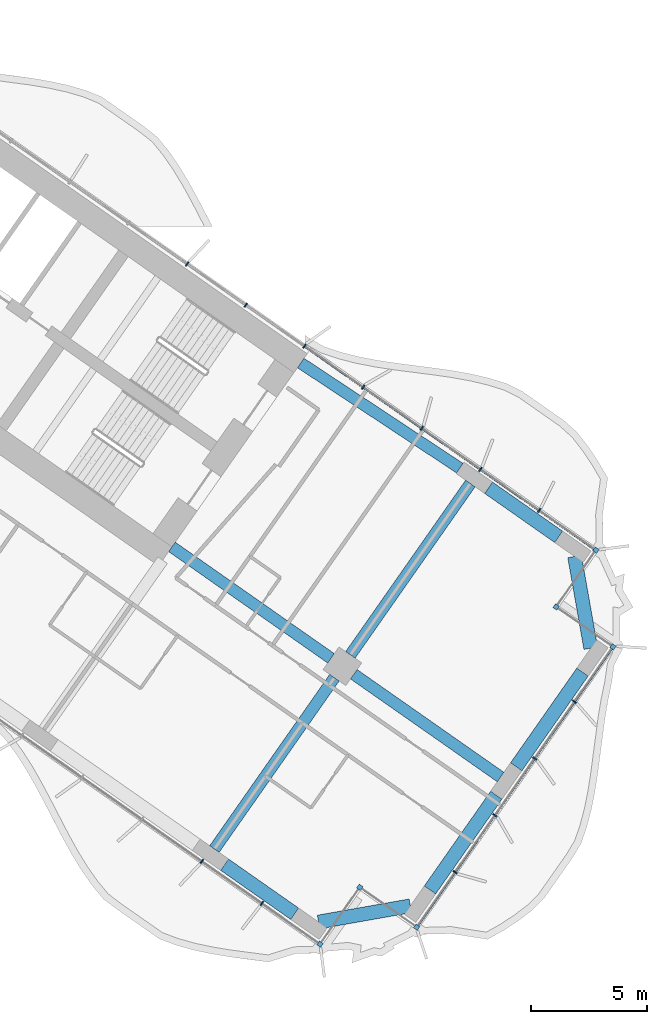
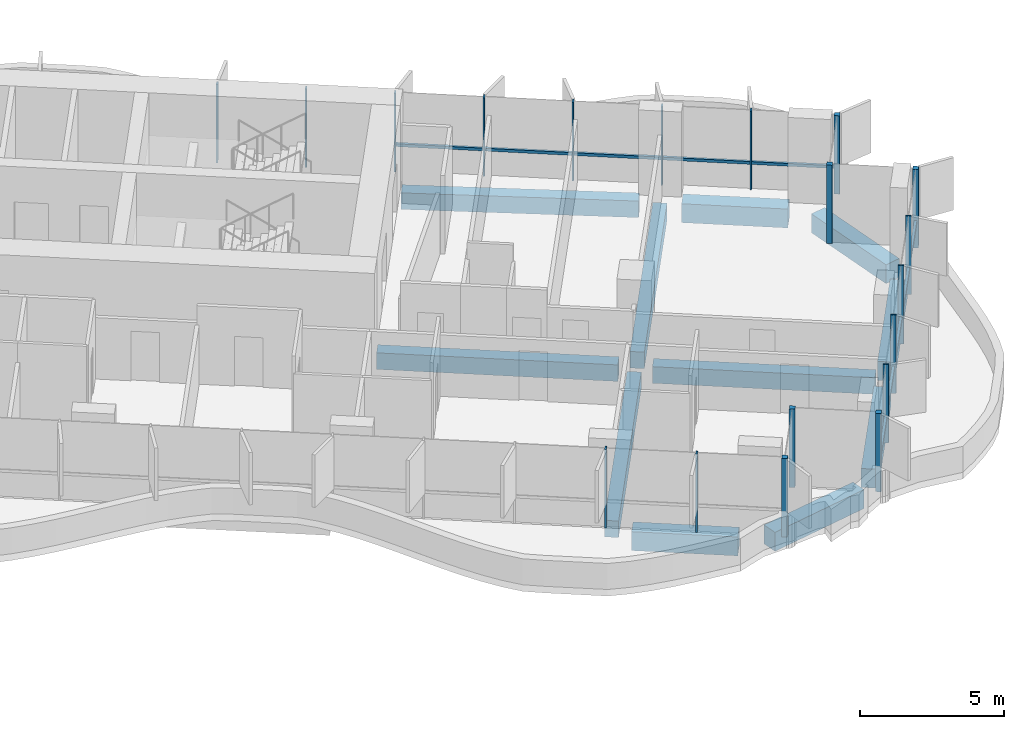
# One storey, part 9 of 23: 21 members, 11 beams, 2 elements without a shape of their own.
"""IFC4 building model written with IfcOpenShell, lengths in metres."""

import ifcopenshell
import ifcopenshell.guid

model = None  # the IFC model being written
_history = None  # IfcOwnerHistory: only IFC2X3 demands one
_inside = {}  # id of a spatial element -> (the spatial element, [elements in it])
_under = {}  # id of a project, library or spatial element -> (it, [spatial elements below it])
_declared = {}  # id of a project -> (the project, [libraries it declares])
_typed = {}  # id of a type object -> (the type object, [elements of that type])
_made_of = {}  # id of a material, layer set ... -> (it, [elements and type objects made of it])


def new_model(schema):
    """Start an empty IFC model of exactly this schema.

    Asked for "IFC4X3", IfcOpenShell would pick the latest addendum, in which some entities
    have other attributes; the version numbers below select the first issue.
    IFC2X3 requires an IfcOwnerHistory on every rooted entity: one is made here for all.
    """
    global model, _history
    if schema == "IFC4X3":
        model = ifcopenshell.file(schema_version=(4, 3, 0, 0))
    else:
        model = ifcopenshell.file(schema=schema)
    _inside.clear()
    _under.clear()
    _declared.clear()
    _typed.clear()
    _made_of.clear()
    _history = None
    if model.schema == "IFC2X3":
        org = make("IfcOrganization", Name="unknown")
        user = make(
            "IfcPersonAndOrganization",
            ThePerson=make("IfcPerson", FamilyName="unknown"),
            TheOrganization=org,
        )
        app = make(
            "IfcApplication",
            ApplicationDeveloper=org,
            Version="unknown",
            ApplicationFullName="unknown",
            ApplicationIdentifier="unknown",
        )
        _history = make(
            "IfcOwnerHistory",
            OwningUser=user,
            OwningApplication=app,
            ChangeAction="ADDED",
            CreationDate=0,
        )
    return model


def make(cls, **values):
    """One entity of the class cls with the attributes given. An attribute that is None is left unset."""
    return model.create_entity(
        cls, **{name: value for name, value in values.items() if value is not None}
    )


def rooted(cls, **values):
    """An entity with a GlobalId (a new one), such as an element, a storey or a relation."""
    return make(cls, GlobalId=ifcopenshell.guid.new(), OwnerHistory=_history, **values)


def si_unit(unit_type, name, prefix=None):
    """IfcSIUnit, for example si_unit("LENGTHUNIT", "METRE", prefix="MILLI")."""
    return make("IfcSIUnit", UnitType=unit_type, Prefix=prefix, Name=name)


def assignment(units):
    """IfcUnitAssignment: the units of a project."""
    return None if units is None else make("IfcUnitAssignment", Units=units)


def point(xyz):
    """IfcCartesianPoint."""
    return None if xyz is None else make("IfcCartesianPoint", Coordinates=xyz)


def direction(xyz):
    """IfcDirection."""
    return None if xyz is None else make("IfcDirection", DirectionRatios=xyz)


def frame(location, z_axis=None, x_axis=None):
    """IfcAxis2Placement3D, a coordinate frame: its origin and axes. An axis left out is left unset."""
    return make(
        "IfcAxis2Placement3D",
        Location=point(location),
        Axis=direction(z_axis),
        RefDirection=direction(x_axis),
    )


def frame_2d(location, x_axis=None):
    """IfcAxis2Placement2D, a coordinate frame in the plane: its origin and x axis."""
    return make(
        "IfcAxis2Placement2D", Location=point(location), RefDirection=direction(x_axis)
    )


def origin():
    """The frame at (0, 0, 0) with its axes left unset."""
    return frame((0.0, 0.0, 0.0))


def origin_2d():
    """The frame at (0, 0) in the plane with its x axis left unset."""
    return frame_2d((0.0, 0.0))


def place(relative_to, where):
    """IfcLocalPlacement: puts the frame where relative to a parent placement (None: the world)."""
    return make(
        "IfcLocalPlacement", PlacementRelTo=relative_to, RelativePlacement=where
    )


def context(
    kind, dimensions, precision=None, world=None, true_north=None, identifier=None
):
    """IfcGeometricRepresentationContext, for example the 3D "Model" context."""
    return make(
        "IfcGeometricRepresentationContext",
        ContextIdentifier=identifier,
        ContextType=kind,
        CoordinateSpaceDimension=dimensions,
        Precision=precision,
        WorldCoordinateSystem=world,
        TrueNorth=true_north,
    )


def subcontext(parent, identifier, kind, view, scale=None):
    """IfcGeometricRepresentationSubContext, for example "Body" below "Model"."""
    return make(
        "IfcGeometricRepresentationSubContext",
        ContextIdentifier=identifier,
        ContextType=kind,
        ParentContext=parent,
        TargetScale=scale,
        TargetView=view,
    )


def project(units=None, contexts=None):
    """IfcProject with its units and contexts."""
    return rooted(
        "IfcProject",
        Name="project",
        RepresentationContexts=contexts,
        UnitsInContext=assignment(units),
    )


def spatial(cls, under=None, at=None, **own):
    """A site, building, storey or space (cls), placed at a placement, below another one or the project."""
    s = rooted(cls, ObjectPlacement=at, **own)
    if under is not None:
        _under.setdefault(under.id(), (under, []))[1].append(s)
    return s


def profile(cls, at=None, kind="AREA", **sizes):
    """A parametric profile (cls). Its sizes go by their IFC names, for example OverallWidth=200.0."""
    return make(cls, ProfileType=kind, Position=at, **sizes)


def rectangle(**sizes):
    """IfcRectangleProfileDef."""
    return profile("IfcRectangleProfileDef", **sizes)


def extrude(swept, where, along, depth):
    """IfcExtrudedAreaSolid: the profile swept, set in the frame where, extruded along a direction by depth."""
    return make(
        "IfcExtrudedAreaSolid",
        SweptArea=swept,
        Position=where,
        ExtrudedDirection=direction(along),
        Depth=depth,
    )


def shape(context_of_items, identifier, shape_type, items):
    """IfcShapeRepresentation: the items that make up one representation, for example the "Body"."""
    return make(
        "IfcShapeRepresentation",
        ContextOfItems=context_of_items,
        RepresentationIdentifier=identifier,
        RepresentationType=shape_type,
        Items=items,
    )


def material(Name=None, Category=None):
    """IfcMaterial."""
    return make("IfcMaterial", Name=Name, Category=Category)


def material_profile(
    of_material, cross_section, Name=None, Category=None, Priority=None
):
    """IfcMaterialProfile: a cross section and its material."""
    return make(
        "IfcMaterialProfile",
        Name=Name,
        Material=of_material,
        Profile=cross_section,
        Priority=Priority,
        Category=Category,
    )


def profile_set(profiles, Name=None, composite=None):
    """IfcMaterialProfileSet."""
    return make(
        "IfcMaterialProfileSet",
        Name=Name,
        MaterialProfiles=profiles,
        CompositeProfile=composite,
    )


def made_of(thing, what):
    """Note that an element or type object is made of a material, layer set ...; save() writes the relation."""
    if what is not None:
        _made_of.setdefault(what.id(), (what, []))[1].append(thing)
    return thing


def type_object(cls, material=None, **own):
    """A type object (cls), such as IfcWallType, which elements share."""
    return made_of(rooted(cls, **own), material)


def element(
    cls,
    number,
    at=None,
    inside=None,
    cuts=None,
    type_object=None,
    material=None,
    context=None,
    identifier="Body",
    shape_type=None,
    held_by="IfcProductDefinitionShape",
    body=None,
    shapes=None,
    **own,
):
    """One element of the class cls, such as IfcWall. Its Tag is "e" and its number.

    at: its placement. inside: the storey or other place that contains it. cuts: it is an
    opening in that element (IfcRelVoidsElement). A single representation is given by context,
    identifier, shape_type and body (its items); several are given by shapes. held_by: the class
    of the entity that holds the representations. save() writes the other relations.
    """
    e = rooted(cls, Tag="e%d" % number, ObjectPlacement=at, **own)
    if body is not None:
        shapes = [shape(context, identifier, shape_type, body)]
    if shapes is not None:
        e.Representation = make(held_by, Representations=shapes)
    if inside is not None:
        _inside.setdefault(inside.id(), (inside, []))[1].append(e)
    if cuts is not None:
        rooted(
            "IfcRelVoidsElement", RelatingBuildingElement=cuts, RelatedOpeningElement=e
        )
    if type_object is not None:
        _typed.setdefault(type_object.id(), (type_object, []))[1].append(e)
    return made_of(e, material)


def aggregate(whole, parts):
    """IfcRelAggregates: a whole, such as a stair, and the parts it consists of."""
    return rooted("IfcRelAggregates", RelatingObject=whole, RelatedObjects=parts)


def save(model, path):
    """Write the relations noted so far, then the file.

    IfcRelAggregates (storeys below a building ...), IfcRelContainedInSpatialStructure (elements
    in a storey), IfcRelDefinesByType, IfcRelAssociatesMaterial and IfcRelDeclares: one each for
    every whole, place, type object, material and project.
    """
    for whole, parts in _under.values():
        aggregate(whole, parts)
    for where, things in _inside.values():
        rooted(
            "IfcRelContainedInSpatialStructure",
            RelatedElements=things,
            RelatingStructure=where,
        )
    for kind, things in _typed.values():
        rooted("IfcRelDefinesByType", RelatedObjects=things, RelatingType=kind)
    for what, things in _made_of.values():
        rooted("IfcRelAssociatesMaterial", RelatedObjects=things, RelatingMaterial=what)
    for by, libraries in _declared.values():
        rooted("IfcRelDeclares", RelatingContext=by, RelatedDefinitions=libraries)
    model.write(path)


model = new_model("IFC4")

# Units and contexts
model_context = context("Model", 3, precision=1e-05, world=origin(), true_north=direction((0.0, 1.0)))
body_context = subcontext(model_context, "Body", "Model", "MODEL_VIEW")
ifc_project = project(units=[si_unit("LENGTHUNIT", "METRE"), si_unit("AREAUNIT", "SQUARE_METRE"), si_unit("VOLUMEUNIT", "CUBIC_METRE"), si_unit("PLANEANGLEUNIT", "RADIAN"), si_unit("MASSUNIT", "GRAM", prefix="KILO")], contexts=[model_context])

# Site, building, storey
site_placement = place(None, origin())
site = spatial("IfcSite", under=ifc_project, at=site_placement, CompositionType="ELEMENT")
building_placement = place(site_placement, origin())
building = spatial("IfcBuilding", under=site, at=building_placement, Name="Tel Ilan Convention Tower", CompositionType="ELEMENT")
storey_placement = place(building_placement, frame((0.0, 0.0, 104.89990234375)))
storey = spatial("IfcBuildingStorey", under=building, at=storey_placement, Name="L22", CompositionType="ELEMENT", Elevation=104.89990234375)

# Beams
ifc_material_1 = material(Name="Concrete C40/50", Category="concrete")
ifc_material_profile_1 = material_profile(ifc_material_1, rectangle(XDim=0.5, YDim=0.699951171875, at=origin_2d()), Name="RC 500x700")
ifc_profile_set_1 = profile_set([ifc_material_profile_1], Name="Concrete C40/50")
beam_type_1 = type_object("IfcBeamType", Name="Beam RC 500x700 Concrete C40/50", PredefinedType="BEAM", material=ifc_profile_set_1)
beam_1_placement = place(storey_placement, frame((34.570556640625, -12.08447265625, -0.6298828125), z_axis=(-0.834273603487, 0.551350663847, 0.0), x_axis=(-0.551350663847, -0.834273603487, 0.0)))
element("IfcBeam", 1, at=beam_1_placement, inside=storey, type_object=beam_type_1, Name="L22 beam E-E-B4-core", PredefinedType="BEAM", context=body_context, shape_type="SweptSolid", body=[
    extrude(rectangle(XDim=0.5, YDim=0.699951171875, at=origin_2d()), origin(), (0.0, 0.0, 1.0), 8.2529296875),
])
beam_2_placement = place(storey_placement, frame((22.1171875, -15.486572265625, -0.6298828125), z_axis=(0.819147254605, -0.573583276668, 0.0), x_axis=(0.573583276668, 0.819147254605, 0.0)))
element("IfcBeam", 2, at=beam_2_placement, inside=storey, type_object=beam_type_1, Name="L22 beam E-core-E-M4", PredefinedType="BEAM", context=body_context, shape_type="SweptSolid", body=[
    extrude(rectangle(XDim=0.5, YDim=0.699951171875, at=origin_2d()), origin(), (0.0, 0.0, 1.0), 8.400146484375),
])
beam_3_placement = place(storey_placement, frame((29.98095703125, -20.992919921875, -0.6298828125), z_axis=(0.819159394801, -0.573565938589, 0.0), x_axis=(0.573565938589, 0.819159394801, 0.0)))
element("IfcBeam", 3, at=beam_3_placement, inside=storey, type_object=beam_type_1, Name="L22 beam E-E-M4-end", PredefinedType="BEAM", context=body_context, shape_type="SweptSolid", body=[
    extrude(rectangle(XDim=0.5, YDim=0.699951171875, at=origin_2d()), origin(), (0.0, 0.0, 1.0), 7.75),
])
for number, where, z_axis, x_axis, name in (
    (4, (29.145263671875, -21.14013671875, -0.6298828125), (-0.573549245583, -0.819171082798, 0.0), (0.819171082798, -0.573549245583, 0.0), "L22 beam E-E-M4-E-F4"),
    (5, (29.83349609375, -20.1572265625, -0.6298828125), (0.57358002233, 0.819149533348, 0.0), (-0.819149533348, 0.57358002233, 0.0), "L22 beam E-E-M4-E-B4"),
):
    element("IfcBeam", number, at=place(storey_placement, frame(where, z_axis=z_axis, x_axis=x_axis)), inside=storey, type_object=beam_type_1, Name=name, PredefinedType="BEAM", context=body_context, shape_type="SweptSolid", body=[
        extrude(rectangle(XDim=0.5, YDim=0.699951171875, at=origin_2d()), origin(), (0.0, 0.0, 1.0), 9.050048828125),
    ])
ifc_material_2 = material(Name="Concrete C40/50", Category="concrete")
ifc_material_profile_2 = material_profile(ifc_material_2, rectangle(XDim=0.60009765625, YDim=0.800048828125, at=origin_2d()), Name="RC 600x800")
ifc_profile_set_2 = profile_set([ifc_material_profile_2], Name="Concrete C40/50")
beam_type_2 = type_object("IfcBeamType", Name="Beam RC 600x800 Concrete C40/50", PredefinedType="BEAM", material=ifc_profile_set_2)
beam_4_placement = place(storey_placement, frame((24.396728515625, -29.2294921875, -0.679931640625), z_axis=(0.819132709951, -0.573604047656, 0.0), x_axis=(0.573604047656, 0.819132709951, 0.0)))
element("IfcBeam", 6, at=beam_4_placement, inside=storey, type_object=beam_type_2, Name="L22 beam E-E-F4-E-FC", PredefinedType="BEAM", context=body_context, shape_type="SweptSolid", body=[
    extrude(rectangle(XDim=0.60009765625, YDim=0.800048828125, at=origin_2d()), origin(), (0.0, 0.0, 1.0), 3.699951171875),
])
beam_5_placement = place(storey_placement, frame((28.459716796875, -31.708251953125, -0.679931640625), z_axis=(0.984806721117, 0.173654029734, 0.0), x_axis=(-0.173654029734, 0.984806721117, 0.0)))
element("IfcBeam", 7, at=beam_5_placement, inside=storey, type_object=beam_type_2, Name="L22 beam E-E-FC-E-E1", PredefinedType="BEAM", context=body_context, shape_type="SweptSolid", body=[
    extrude(rectangle(XDim=0.60009765625, YDim=0.800048828125, at=origin_2d()), origin(), (0.0, 0.0, 1.0), 4.03076171875),
])
for number, where, z_axis, x_axis, name in (
    (8, (33.277099609375, -30.3203125, -0.679931640625), (0.573586866468, 0.819144740944, 0.0), (-0.819144740944, 0.573586866468, 0.0), "L22 beam E-E-E1-E-E2"),
    (9, (37.00537109375, -24.995849609375, -0.679931640625), (0.573586866468, 0.819144740944, 0.0), (-0.819144740944, 0.573586866468, 0.0), "L22 beam E-E-E2-E-E3"),
):
    element("IfcBeam", number, at=place(storey_placement, frame(where, z_axis=z_axis, x_axis=x_axis)), inside=storey, type_object=beam_type_2, Name=name, PredefinedType="BEAM", context=body_context, shape_type="SweptSolid", body=[
        extrude(rectangle(XDim=0.60009765625, YDim=0.800048828125, at=origin_2d()), origin(), (0.0, 0.0, 1.0), 5.0),
    ])
beam_6_placement = place(storey_placement, frame((40.229736328125, -19.867919921875, -0.679931640625), z_axis=(-0.173664388751, 0.984804894423, 0.0), x_axis=(-0.984804894423, -0.173664388751, 0.0)))
element("IfcBeam", 10, at=beam_6_placement, inside=storey, type_object=beam_type_2, Name="L22 beam E-E-E3-E-BC", PredefinedType="BEAM", context=body_context, shape_type="SweptSolid", body=[
    extrude(rectangle(XDim=0.60009765625, YDim=0.800048828125, at=origin_2d()), origin(), (0.0, 0.0, 1.0), 4.030517578125),
])
beam_7_placement = place(storey_placement, frame((38.841796875, -15.050537109375, -0.679931640625), z_axis=(-0.819185419371, 0.573528768842, 0.0), x_axis=(-0.573528768842, -0.819185419371, 0.0)))
element("IfcBeam", 11, at=beam_7_placement, inside=storey, type_object=beam_type_2, Name="L22 beam E-E-BC-E-B4", PredefinedType="BEAM", context=body_context, shape_type="SweptSolid", body=[
    extrude(rectangle(XDim=0.60009765625, YDim=0.800048828125, at=origin_2d()), origin(), (0.0, 0.0, 1.0), 3.699951171875),
])

# Curtain wall, members
ifc_material_3 = material(Name="Aluminium, bronze anodised", Category="aluminium")
curtain_wall_type_1 = type_object("IfcCurtainWallType", Name="CW1 UNITISED CURTAIN WALL, HOTEL TINTED GLASS", PredefinedType="NOTDEFINED", material=ifc_material_3)
curtain_wall_1_placement = place(storey_placement, origin())
curtain_wall_1 = element("IfcCurtainWall", 12, at=curtain_wall_1_placement, inside=storey, type_object=curtain_wall_type_1, Name="Curtain wall CW1-19.02", PredefinedType="NOTDEFINED")
ifc_material_4 = material(Name="Aluminium, bronze anodised", Category="aluminium")
ifc_material_profile_3 = material_profile(ifc_material_4, rectangle(XDim=0.199951171875, YDim=0.199951171875, at=origin_2d()), Name="CW CORNER MULLION 200x200")
ifc_profile_set_3 = profile_set([ifc_material_profile_3], Name="Aluminium, bronze anodised")
member_type_1 = type_object("IfcMemberType", Name="CW CORNER MULLION 200x200", PredefinedType="MULLION", material=ifc_profile_set_3)
member_1_placement = place(storey_placement, frame((28.52099609375, -32.666748046875, 0.0), z_axis=(0.0, 0.0, 1.0), x_axis=(0.819152044289, -0.573576436351, 0.0)))
member_1 = element("IfcMember", 13, at=member_1_placement, type_object=member_type_1, Name="Corner mullion", PredefinedType="MULLION", context=body_context, shape_type="SweptSolid", body=[
    extrude(rectangle(XDim=0.199951171875, YDim=0.199951171875, at=origin_2d()), origin(), (0.0, 0.0, 1.0), 3.320068359375),
])
member_2_placement = place(storey_placement, frame((30.241943359375, -30.209228515625, 0.0), z_axis=(0.0, 0.0, 1.0), x_axis=(0.573576436351, 0.819152044289, 0.0)))
member_2 = element("IfcMember", 14, at=member_2_placement, type_object=member_type_1, Name="Corner mullion", PredefinedType="MULLION", context=body_context, shape_type="SweptSolid", body=[
    extrude(rectangle(XDim=0.199951171875, YDim=0.199951171875, at=origin_2d()), origin(), (0.0, 0.0, 1.0), 3.320068359375),
])
member_3_placement = place(storey_placement, frame((32.69921875, -31.929931640625, 0.0), z_axis=(0.0, 0.0, 1.0), x_axis=(0.819152044289, -0.573576436351, 0.0)))
member_3 = element("IfcMember", 15, at=member_3_placement, type_object=member_type_1, Name="Corner mullion", PredefinedType="MULLION", context=body_context, shape_type="SweptSolid", body=[
    extrude(rectangle(XDim=0.199951171875, YDim=0.199951171875, at=origin_2d()), origin(), (0.0, 0.0, 1.0), 3.320068359375),
])
member_4_placement = place(storey_placement, frame((41.188232421875, -19.806640625, 0.0), z_axis=(0.0, 0.0, 1.0), x_axis=(0.573576436351, 0.819152044289, 0.0)))
member_4 = element("IfcMember", 16, at=member_4_placement, type_object=member_type_1, Name="Corner mullion", PredefinedType="MULLION", context=body_context, shape_type="SweptSolid", body=[
    extrude(rectangle(XDim=0.199951171875, YDim=0.199951171875, at=origin_2d()), origin(), (0.0, 0.0, 1.0), 3.320068359375),
])
member_5_placement = place(storey_placement, frame((38.730712890625, -18.0859375, 0.0), z_axis=(0.0, 0.0, 1.0), x_axis=(-0.819152044289, 0.573576436351, 0.0)))
member_5 = element("IfcMember", 17, at=member_5_placement, type_object=member_type_1, Name="Corner mullion", PredefinedType="MULLION", context=body_context, shape_type="SweptSolid", body=[
    extrude(rectangle(XDim=0.199951171875, YDim=0.199951171875, at=origin_2d()), origin(), (0.0, 0.0, 1.0), 3.320068359375),
])
member_6_placement = place(storey_placement, frame((40.451416015625, -15.62841796875, 0.0), z_axis=(0.0, 0.0, 1.0), x_axis=(0.573576436351, 0.819152044289, 0.0)))
member_6 = element("IfcMember", 18, at=member_6_placement, type_object=member_type_1, Name="Corner mullion", PredefinedType="MULLION", context=body_context, shape_type="SweptSolid", body=[
    extrude(rectangle(XDim=0.199951171875, YDim=0.199951171875, at=origin_2d()), origin(), (0.0, 0.0, 1.0), 3.320068359375),
])

ifc_material_5 = material(Name="Aluminium, bronze anodised", Category="aluminium")
curtain_wall_type_2 = type_object("IfcCurtainWallType", Name="CW2 STICK CURTAIN WALL, SPANDREL PANELS", PredefinedType="NOTDEFINED", material=ifc_material_5)
curtain_wall_2_placement = place(storey_placement, origin())
curtain_wall_2 = element("IfcCurtainWall", 19, at=curtain_wall_2_placement, inside=storey, type_object=curtain_wall_type_2, Name="Curtain wall CW2-19.01", PredefinedType="NOTDEFINED")
ifc_material_6 = material(Name="Aluminium, bronze anodised", Category="aluminium")
ifc_material_profile_4 = material_profile(ifc_material_6, rectangle(XDim=0.06005859375, YDim=0.199951171875, at=origin_2d()), Name="CW MULLION 60x200")
ifc_profile_set_4 = profile_set([ifc_material_profile_4], Name="Aluminium, bronze anodised")
member_type_2 = type_object("IfcMemberType", Name="CW MULLION 60x200", PredefinedType="MULLION", material=ifc_profile_set_4)
member_7_placement = place(storey_placement, frame((27.848876953125, -6.803955078125, 0.0), z_axis=(0.0, 0.0, 1.0), x_axis=(-0.819152044289, 0.573576436351, 0.0)))
member_7 = element("IfcMember", 20, at=member_7_placement, type_object=member_type_2, Name="Mullion", PredefinedType="MULLION", context=body_context, shape_type="SweptSolid", body=[
    extrude(rectangle(XDim=0.06005859375, YDim=0.199951171875, at=origin_2d()), origin(), (0.0, 0.0, 1.0), 3.320068359375),
])
member_8_placement = place(storey_placement, frame((25.311767578125, -5.027587890625, 0.0), z_axis=(0.0, 0.0, 1.0), x_axis=(-0.819152044289, 0.573576436351, 0.0)))
member_8 = element("IfcMember", 21, at=member_8_placement, type_object=member_type_2, Name="Mullion", PredefinedType="MULLION", context=body_context, shape_type="SweptSolid", body=[
    extrude(rectangle(XDim=0.06005859375, YDim=0.199951171875, at=origin_2d()), origin(), (0.0, 0.0, 1.0), 3.320068359375),
])
member_9_placement = place(storey_placement, frame((22.77490234375, -3.251220703125, 0.0), z_axis=(0.0, 0.0, 1.0), x_axis=(-0.819152044289, 0.573576436351, 0.0)))
member_9 = element("IfcMember", 22, at=member_9_placement, type_object=member_type_2, Name="Mullion", PredefinedType="MULLION", context=body_context, shape_type="SweptSolid", body=[
    extrude(rectangle(XDim=0.06005859375, YDim=0.199951171875, at=origin_2d()), origin(), (0.0, 0.0, 1.0), 3.320068359375),
])
aggregate(curtain_wall_2, [member_7, member_8, member_9])

# Member
member_10_placement = place(storey_placement, frame((23.412841796875, -29.08984375, 0.0), z_axis=(0.0, 0.0, 1.0), x_axis=(0.819152044289, -0.573576436351, 0.0)))
member_10 = element("IfcMember", 23, at=member_10_placement, type_object=member_type_2, Name="Mullion", PredefinedType="MULLION", context=body_context, shape_type="SweptSolid", body=[
    extrude(rectangle(XDim=0.06005859375, YDim=0.199951171875, at=origin_2d()), origin(), (0.0, 0.0, 1.0), 3.320068359375),
])

member_11_placement = place(storey_placement, frame((26.008056640625, -30.906982421875, 0.0), z_axis=(0.0, 0.0, 1.0), x_axis=(0.819152044289, -0.573576436351, 0.0)))
member_11 = element("IfcMember", 24, at=member_11_placement, type_object=member_type_2, Name="Mullion", PredefinedType="MULLION", context=body_context, shape_type="SweptSolid", body=[
    extrude(rectangle(XDim=0.06005859375, YDim=0.199951171875, at=origin_2d()), origin(), (0.0, 0.0, 1.0), 3.320068359375),
])

member_12_placement = place(storey_placement, frame((34.362548828125, -29.554443359375, 0.0), z_axis=(0.0, 0.0, 1.0), x_axis=(0.573576436351, 0.819152044289, 0.0)))
member_12 = element("IfcMember", 25, at=member_12_placement, type_object=member_type_2, Name="Mullion", PredefinedType="MULLION", context=body_context, shape_type="SweptSolid", body=[
    extrude(rectangle(XDim=0.06005859375, YDim=0.199951171875, at=origin_2d()), origin(), (0.0, 0.0, 1.0), 3.320068359375),
])

member_13_placement = place(storey_placement, frame((36.08349609375, -27.096923828125, 0.0), z_axis=(0.0, 0.0, 1.0), x_axis=(0.573576436351, 0.819152044289, 0.0)))
member_13 = element("IfcMember", 26, at=member_13_placement, type_object=member_type_2, Name="Mullion", PredefinedType="MULLION", context=body_context, shape_type="SweptSolid", body=[
    extrude(rectangle(XDim=0.06005859375, YDim=0.199951171875, at=origin_2d()), origin(), (0.0, 0.0, 1.0), 3.320068359375),
])

member_14_placement = place(storey_placement, frame((37.80419921875, -24.6396484375, 0.0), z_axis=(0.0, 0.0, 1.0), x_axis=(0.573576436351, 0.819152044289, 0.0)))
member_14 = element("IfcMember", 27, at=member_14_placement, type_object=member_type_2, Name="Mullion", PredefinedType="MULLION", context=body_context, shape_type="SweptSolid", body=[
    extrude(rectangle(XDim=0.06005859375, YDim=0.199951171875, at=origin_2d()), origin(), (0.0, 0.0, 1.0), 3.320068359375),
])

member_15_placement = place(storey_placement, frame((39.52490234375, -22.18212890625, 0.0), z_axis=(0.0, 0.0, 1.0), x_axis=(0.573576436351, 0.819152044289, 0.0)))
member_15 = element("IfcMember", 28, at=member_15_placement, type_object=member_type_2, Name="Mullion", PredefinedType="MULLION", context=body_context, shape_type="SweptSolid", body=[
    extrude(rectangle(XDim=0.06005859375, YDim=0.199951171875, at=origin_2d()), origin(), (0.0, 0.0, 1.0), 3.320068359375),
])

member_16_placement = place(storey_placement, frame((37.99658203125, -13.909423828125, 0.0), z_axis=(0.0, 0.0, 1.0), x_axis=(-0.819152044289, 0.573576436351, 0.0)))
member_16 = element("IfcMember", 29, at=member_16_placement, type_object=member_type_2, Name="Mullion", PredefinedType="MULLION", context=body_context, shape_type="SweptSolid", body=[
    extrude(rectangle(XDim=0.06005859375, YDim=0.199951171875, at=origin_2d()), origin(), (0.0, 0.0, 1.0), 3.320068359375),
])

member_17_placement = place(storey_placement, frame((35.45947265625, -12.133056640625, 0.0), z_axis=(0.0, 0.0, 1.0), x_axis=(-0.819152044289, 0.573576436351, 0.0)))
member_17 = element("IfcMember", 30, at=member_17_placement, type_object=member_type_2, Name="Mullion", PredefinedType="MULLION", context=body_context, shape_type="SweptSolid", body=[
    extrude(rectangle(XDim=0.06005859375, YDim=0.199951171875, at=origin_2d()), origin(), (0.0, 0.0, 1.0), 3.320068359375),
])

member_18_placement = place(storey_placement, frame((32.922607421875, -10.356689453125, 0.0), z_axis=(0.0, 0.0, 1.0), x_axis=(-0.819152044289, 0.573576436351, 0.0)))
member_18 = element("IfcMember", 31, at=member_18_placement, type_object=member_type_2, Name="Mullion", PredefinedType="MULLION", context=body_context, shape_type="SweptSolid", body=[
    extrude(rectangle(XDim=0.06005859375, YDim=0.199951171875, at=origin_2d()), origin(), (0.0, 0.0, 1.0), 3.320068359375),
])

member_19_placement = place(storey_placement, frame((30.3857421875, -8.580322265625, 0.0), z_axis=(0.0, 0.0, 1.0), x_axis=(-0.819152044289, 0.573576436351, 0.0)))
member_19 = element("IfcMember", 32, at=member_19_placement, type_object=member_type_2, Name="Mullion", PredefinedType="MULLION", context=body_context, shape_type="SweptSolid", body=[
    extrude(rectangle(XDim=0.06005859375, YDim=0.199951171875, at=origin_2d()), origin(), (0.0, 0.0, 1.0), 3.320068359375),
])

ifc_material_7 = material(Name="Aluminium, bronze anodised", Category="aluminium")
ifc_material_profile_5 = material_profile(ifc_material_7, rectangle(XDim=0.10009765625, YDim=0.1201171875, at=origin_2d()), Name="CW TRANSOM 100x120")
ifc_profile_set_5 = profile_set([ifc_material_profile_5], Name="Aluminium, bronze anodised")
member_type_3 = type_object("IfcMemberType", Name="CW TRANSOM 100x120", PredefinedType="USERDEFINED", material=ifc_profile_set_5)
member_20_placement = place(storey_placement, frame((32.756591796875, -31.84814453125, 1.10009765625), z_axis=(0.573575688231, 0.819152568128, 0.0), x_axis=(-0.819152568128, 0.573575688231, 0.0)))
member_20 = element("IfcMember", 33, at=member_20_placement, type_object=member_type_3, Name="Transom", ObjectType="TRANSOM", PredefinedType="USERDEFINED", context=body_context, shape_type="SweptSolid", body=[
    extrude(rectangle(XDim=0.10009765625, YDim=0.1201171875, at=origin_2d()), origin(), (0.0, 0.0, 1.0), 14.60009765625),
])

member_21_placement = place(storey_placement, frame((40.36962890625, -15.571044921875, 1.10009765625), z_axis=(-0.819152967985, 0.573575117174, 0.0), x_axis=(-0.573575117174, -0.819152967985, 0.0)))
member_21 = element("IfcMember", 34, at=member_21_placement, type_object=member_type_3, Name="Transom", ObjectType="TRANSOM", PredefinedType="USERDEFINED", context=body_context, shape_type="SweptSolid", body=[
    extrude(rectangle(XDim=0.10009765625, YDim=0.1201171875, at=origin_2d()), origin(), (0.0, 0.0, 1.0), 15.255126953125),
])

aggregate(curtain_wall_1, [member_10, member_11, member_1, member_2, member_3, member_12, member_13, member_14, member_15, member_4, member_20, member_5, member_6, member_16, member_17, member_18, member_19, member_21])

save(model, "model.ifc")
